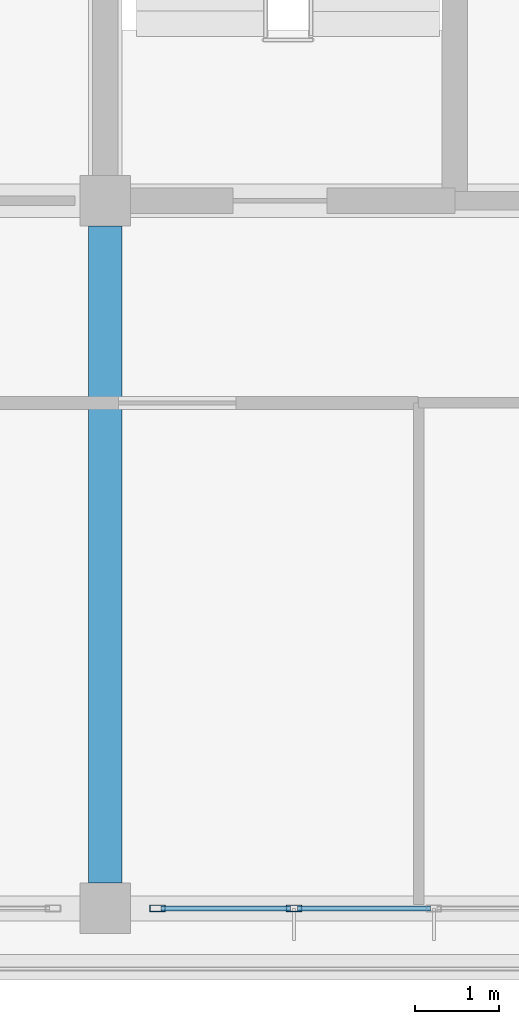
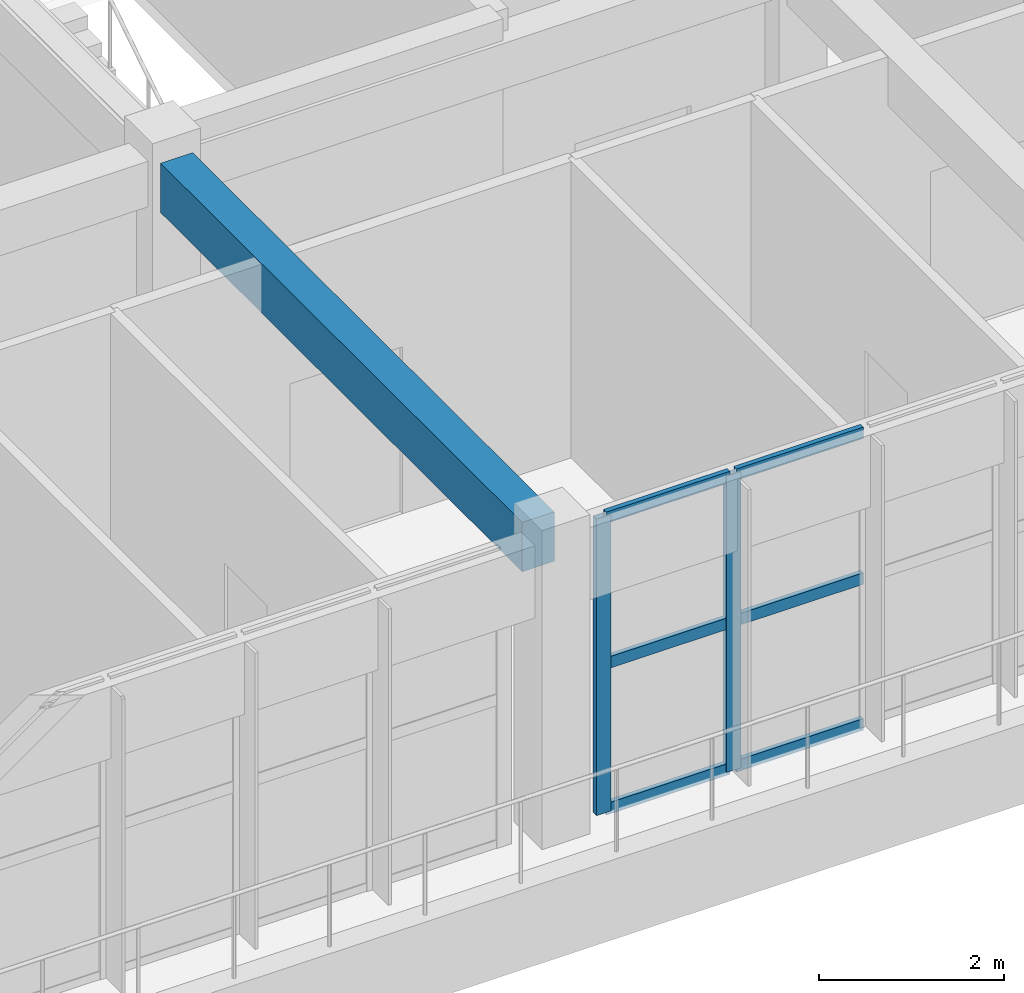
# One storey, part 12 of 56: 8 members, 1 beam, 1 element without a shape of its own.
"""IFC4 building model written with IfcOpenShell, lengths in metres."""

from ifc_helpers import new_model, si_unit, direction, frame, origin, origin_2d, place, context, subcontext, project, spatial, rectangle, hollow_rectangle, extrude, material, layer, layer_set, material_profile, profile_set, type_object, element, aggregate, save


model = new_model("IFC4")

# Units and contexts
model_context = context("Model", 3, precision=1e-05, world=origin(), true_north=direction((0.0, 1.0)))
body_context = subcontext(model_context, "Body", "Model", "MODEL_VIEW")
ifc_project = project(units=[si_unit("LENGTHUNIT", "METRE"), si_unit("AREAUNIT", "SQUARE_METRE"), si_unit("VOLUMEUNIT", "CUBIC_METRE"), si_unit("PLANEANGLEUNIT", "RADIAN"), si_unit("MASSUNIT", "GRAM", prefix="KILO")], contexts=[model_context])

# Site, building, storey
site_placement = place(None, origin())
site = spatial("IfcSite", under=ifc_project, at=site_placement, CompositionType="ELEMENT")
building_placement = place(site_placement, origin())
building = spatial("IfcBuilding", under=site, at=building_placement, Name="Zizhar Promenade General Hospital", CompositionType="ELEMENT")
storey_placement = place(building_placement, frame((0.0, 0.0, 26.39990234375)))
storey = spatial("IfcBuildingStorey", under=building, at=storey_placement, Name="L06", CompositionType="ELEMENT", Elevation=26.39990234375)

# Beam
ifc_material_1 = material(Name="Concrete C35/45", Category="concrete")
ifc_material_profile_1 = material_profile(ifc_material_1, rectangle(XDim=0.39990234375, YDim=0.64990234375, at=origin_2d()))
ifc_profile_set_1 = profile_set([ifc_material_profile_1], Name="Concrete C35/45")
beam_type = type_object("IfcBeamType", Name="BM-RC-400x650", PredefinedType="BEAM", material=ifc_profile_set_1)
beam_placement = place(storey_placement, frame((62.39990234375, 0.300048828125, 3.585205078125), z_axis=(0.0, 1.0, 0.0), x_axis=(-1.0, 0.0, 0.0)))
element("IfcBeam", 1, at=beam_placement, inside=storey, type_object=beam_type, Name="Grid Beam Y L06 (8-0)", PredefinedType="BEAM", context=body_context, shape_type="SweptSolid", body=[
    extrude(rectangle(XDim=0.39990234375, YDim=0.64990234375, at=origin_2d()), origin(), (0.0, 0.0, 1.0), 7.800048828125),
])

# Curtain wall, members
ifc_material_2 = material(Name="Anodised aluminium 6063-T6 and low-E glass", Category="aluminium")
ifc_layer = layer(ifc_material_2, 0.159912109375)
ifc_layer_set = layer_set([ifc_layer], Name="Anodised aluminium 6063-T6 and low-E glass")
curtain_wall_type = type_object("IfcCurtainWallType", Name="CW-WARD-RIB", PredefinedType="NOTDEFINED", material=ifc_layer_set)
curtain_wall_placement = place(storey_placement, origin())
curtain_wall = element("IfcCurtainWall", 2, at=curtain_wall_placement, inside=storey, type_object=curtain_wall_type, Name="Ward Ribbon Curtain Wall L06-17-6", PredefinedType="NOTDEFINED")
ifc_material_3 = material(Name="Anodised aluminium 6063-T6", Category="aluminium")
ifc_material_profile_2 = material_profile(ifc_material_3, hollow_rectangle(XDim=0.080078125, YDim=0.179931640625, WallThickness=0.0048828125, at=origin_2d()))
ifc_profile_set_2 = profile_set([ifc_material_profile_2], Name="Anodised aluminium 6063-T6")
member_type_1 = type_object("IfcMemberType", Name="CWM-ALU-180x80", PredefinedType="MULLION", material=ifc_profile_set_2)
member_1_placement = place(storey_placement, frame((64.639892578125, 0.0, 0.0), z_axis=(0.0, 0.0, 1.0), x_axis=(0.0, -1.0, 0.0)))
member_1 = element("IfcMember", 3, at=member_1_placement, type_object=member_type_1, Name="CW-13 mullion 4", PredefinedType="MULLION", context=body_context, shape_type="SweptSolid", body=[
    extrude(hollow_rectangle(XDim=0.080078125, YDim=0.179931640625, WallThickness=0.0048828125, at=origin_2d()), origin(), (0.0, 0.0, 1.0), 3.900146484375),
])
member_2_placement = place(storey_placement, frame((63.02001953125, 0.0, 0.0), z_axis=(0.0, 0.0, 1.0), x_axis=(0.0, -1.0, 0.0)))
member_2 = element("IfcMember", 4, at=member_2_placement, type_object=member_type_1, Name="CW-13 mullion 5", PredefinedType="MULLION", context=body_context, shape_type="SweptSolid", body=[
    extrude(hollow_rectangle(XDim=0.080078125, YDim=0.179931640625, WallThickness=0.0048828125, at=origin_2d()), origin(), (0.0, 0.0, 1.0), 3.900146484375),
])
ifc_material_4 = material(Name="Anodised aluminium 6063-T6", Category="aluminium")
ifc_material_profile_3 = material_profile(ifc_material_4, hollow_rectangle(XDim=0.06005859375, YDim=0.14990234375, WallThickness=0.00390625, at=origin_2d()))
ifc_profile_set_3 = profile_set([ifc_material_profile_3], Name="Anodised aluminium 6063-T6")
member_type_2 = type_object("IfcMemberType", Name="CWT-ALU-150x60", PredefinedType="USERDEFINED", material=ifc_profile_set_3)
member_3_placement = place(storey_placement, frame((66.260009765625, 0.0, 0.030029296875), z_axis=(-1.0, 0.0, 0.0), x_axis=(0.0, -1.0, 0.0)))
member_3 = element("IfcMember", 5, at=member_3_placement, type_object=member_type_2, Name="CW-13 transom 3.1", ObjectType="TRANSOM", PredefinedType="USERDEFINED", context=body_context, shape_type="SweptSolid", body=[
    extrude(hollow_rectangle(XDim=0.06005859375, YDim=0.14990234375, WallThickness=0.00390625, at=origin_2d()), origin(), (0.0, 0.0, 1.0), 1.580078125),
])
member_4_placement = place(storey_placement, frame((66.260009765625, 0.0, 1.9501953125), z_axis=(-1.0, 0.0, 0.0), x_axis=(0.0, -1.0, 0.0)))
member_4 = element("IfcMember", 6, at=member_4_placement, type_object=member_type_2, Name="CW-13 transom 3.2", ObjectType="TRANSOM", PredefinedType="USERDEFINED", context=body_context, shape_type="SweptSolid", body=[
    extrude(hollow_rectangle(XDim=0.06005859375, YDim=0.14990234375, WallThickness=0.00390625, at=origin_2d()), origin(), (0.0, 0.0, 1.0), 1.580078125),
])
member_5_placement = place(storey_placement, frame((66.260009765625, 0.0, 3.8701171875), z_axis=(-1.0, 0.0, 0.0), x_axis=(0.0, -1.0, 0.0)))
member_5 = element("IfcMember", 7, at=member_5_placement, type_object=member_type_2, Name="CW-13 transom 3.3", ObjectType="TRANSOM", PredefinedType="USERDEFINED", context=body_context, shape_type="SweptSolid", body=[
    extrude(hollow_rectangle(XDim=0.06005859375, YDim=0.14990234375, WallThickness=0.00390625, at=origin_2d()), origin(), (0.0, 0.0, 1.0), 1.580078125),
])
member_6_placement = place(storey_placement, frame((64.60009765625, 0.0, 0.030029296875), z_axis=(-1.0, 0.0, 0.0), x_axis=(0.0, -1.0, 0.0)))
member_6 = element("IfcMember", 8, at=member_6_placement, type_object=member_type_2, Name="CW-13 transom 4.1", ObjectType="TRANSOM", PredefinedType="USERDEFINED", context=body_context, shape_type="SweptSolid", body=[
    extrude(hollow_rectangle(XDim=0.06005859375, YDim=0.14990234375, WallThickness=0.00390625, at=origin_2d()), origin(), (0.0, 0.0, 1.0), 1.5400390625),
])
member_7_placement = place(storey_placement, frame((64.60009765625, 0.0, 1.9501953125), z_axis=(-1.0, 0.0, 0.0), x_axis=(0.0, -1.0, 0.0)))
member_7 = element("IfcMember", 9, at=member_7_placement, type_object=member_type_2, Name="CW-13 transom 4.2", ObjectType="TRANSOM", PredefinedType="USERDEFINED", context=body_context, shape_type="SweptSolid", body=[
    extrude(hollow_rectangle(XDim=0.06005859375, YDim=0.14990234375, WallThickness=0.00390625, at=origin_2d()), origin(), (0.0, 0.0, 1.0), 1.5400390625),
])
member_8_placement = place(storey_placement, frame((64.60009765625, 0.0, 3.8701171875), z_axis=(-1.0, 0.0, 0.0), x_axis=(0.0, -1.0, 0.0)))
member_8 = element("IfcMember", 10, at=member_8_placement, type_object=member_type_2, Name="CW-13 transom 4.3", ObjectType="TRANSOM", PredefinedType="USERDEFINED", context=body_context, shape_type="SweptSolid", body=[
    extrude(hollow_rectangle(XDim=0.06005859375, YDim=0.14990234375, WallThickness=0.00390625, at=origin_2d()), origin(), (0.0, 0.0, 1.0), 1.5400390625),
])
aggregate(curtain_wall, [member_1, member_2, member_3, member_4, member_5, member_6, member_7, member_8])

save(model, "model.ifc")
